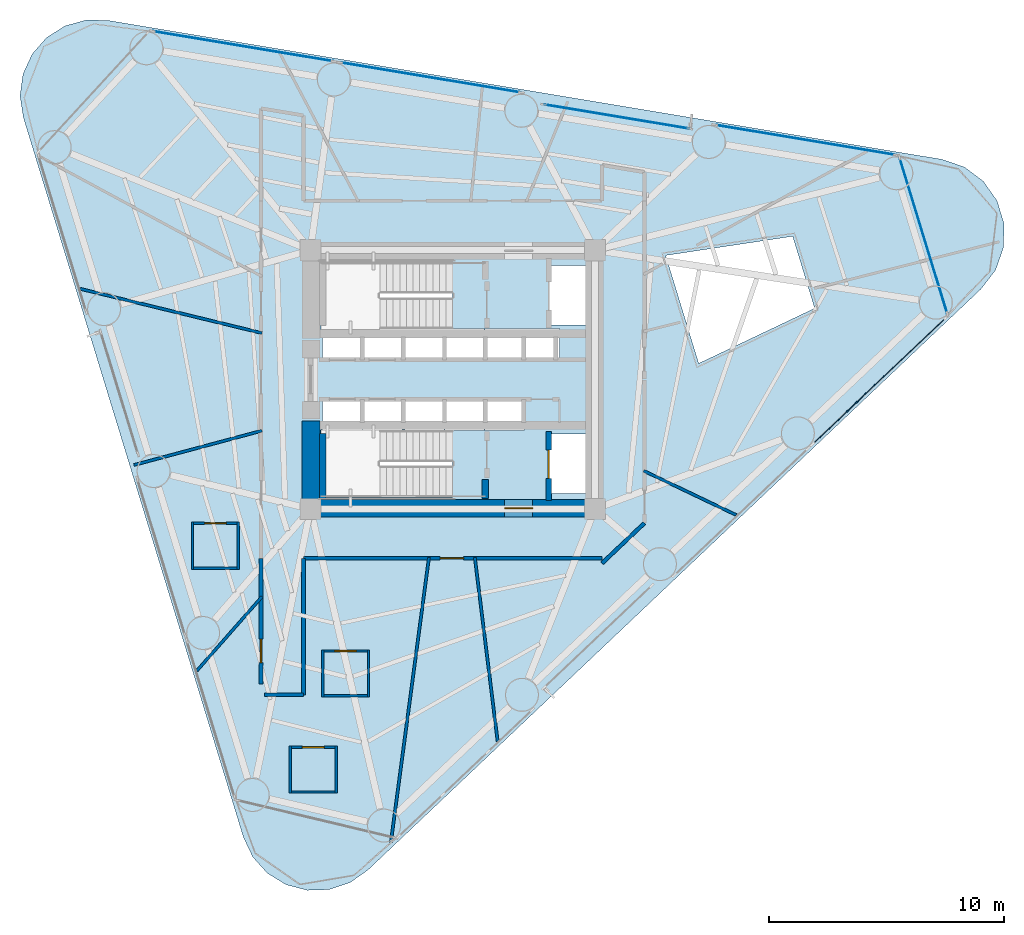
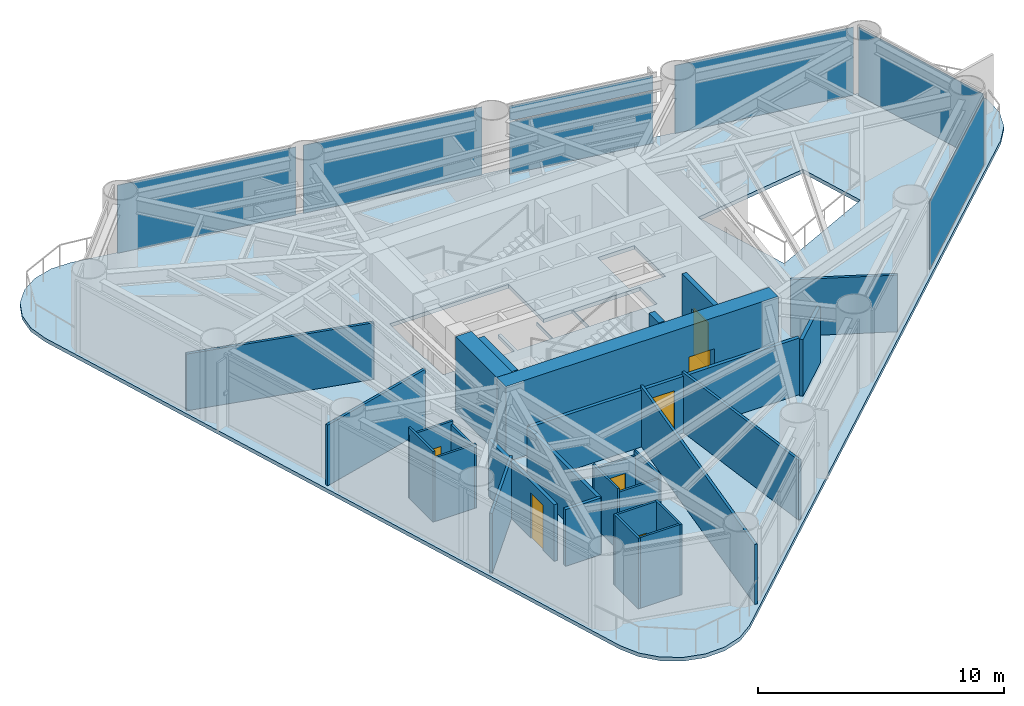
# One storey, part 5 of 10: 28 walls, 7 doors, 7 plates, 1 slab, 7 openings, 6 elements without a shape of their own.
"""IFC4 building model written with IfcOpenShell, lengths in metres."""

from ifc_helpers import new_model, si_unit, direction, frame, frame_2d, origin, origin_2d, place, context, subcontext, project, spatial, polyline, rectangle, outline, extrude, source, transform, mapped, material, layer, layer_set, type_object, element, fill, aggregate, save


model = new_model("IFC4")

# Units and contexts
model_context = context("Model", 3, precision=1e-05, world=origin(), true_north=direction((0.0, 1.0)))
body_context = subcontext(model_context, "Body", "Model", "MODEL_VIEW")
ifc_project = project(units=[si_unit("LENGTHUNIT", "METRE"), si_unit("AREAUNIT", "SQUARE_METRE"), si_unit("VOLUMEUNIT", "CUBIC_METRE"), si_unit("PLANEANGLEUNIT", "RADIAN"), si_unit("MASSUNIT", "GRAM", prefix="KILO")], contexts=[model_context])

# Site, building, storey
site_placement = place(None, origin())
site = spatial("IfcSite", under=ifc_project, at=site_placement, CompositionType="ELEMENT")
building_placement = place(site_placement, origin())
building = spatial("IfcBuilding", under=site, at=building_placement, Name="Yunling Apex Tower", CompositionType="ELEMENT")
storey_placement = place(building_placement, frame((0.0, 0.0, 116.14990234375)))
storey = spatial("IfcBuildingStorey", under=building, at=storey_placement, Name="L29", CompositionType="ELEMENT", Elevation=116.14990234375)

# Slab
ifc_material_1 = material(Name="Concrete C40", Category="concrete")
ifc_layer_1 = layer(ifc_material_1, 0.179931640625)
ifc_layer_set_1 = layer_set([ifc_layer_1], Name="Concrete C40")
slab_type = type_object("IfcSlabType", Name="SL-FLR-1", PredefinedType="FLOOR", material=ifc_layer_set_1)
slab_placement = place(storey_placement, frame((0.0, 0.0, -0.184814453125)))
element("IfcSlab", 1, at=slab_placement, inside=storey, type_object=slab_type, Name="L29 Composite Tower Floor Slab", PredefinedType="FLOOR", context=body_context, shape_type="SweptSolid", body=[
    extrude(outline(polyline([(-8.89990234375, -19.45263671875), (-8.50146484375, -20.294921875), (-7.87841796875, -20.98779296875), (-7.083251953125, -21.473388671875), (-6.182373046875, -21.710693359375), (-5.251220703125, -21.680419921875), (-4.367431640625, -21.384765625), (-3.605712890625, -20.848388671875), (22.4599609375, 3.852294921875), (23.077880859375, 4.65869140625), (23.413818359375, 5.61767578125), (23.434326171875, 6.63330078125), (23.13720703125, 7.60498046875), (22.55224609375, 8.435791015625), (21.737548828125, 9.042724609375), (20.774169921875, 9.36572265625), (-14.6474609375, 15.267822265625), (-15.5791015625, 15.28662109375), (-16.476806640625, 15.03759765625), (-17.265869140625, 14.5419921875), (-17.8798828125, 13.84130859375), (-18.267578125, 12.993896484375), (-18.396728515625, 12.0712890625), (-18.256103515625, 11.150390625), (-8.89990234375, -19.45263671875)]), holes=[polyline([(14.45068359375, 6.091064453125), (15.385986328125, 3.031005859375), (10.4560546875, 0.68701171875), (9.052490234375, 5.27734375), (14.45068359375, 6.091064453125)]), polyline([(5.81005859375, -2.320068359375), (5.81005859375, -4.840087890625), (4.090087890625, -4.840087890625), (4.090087890625, -2.320068359375), (5.81005859375, -2.320068359375)]), polyline([(5.81005859375, 4.840087890625), (5.81005859375, 2.320068359375), (4.090087890625, 2.320068359375), (4.090087890625, 4.840087890625), (5.81005859375, 4.840087890625)]), polyline([(4.534912109375, 0.794921875), (1.364990234375, 0.794921875), (1.364990234375, 2.1650390625), (4.534912109375, 2.1650390625), (4.534912109375, 0.794921875)]), polyline([(3.034912109375, -0.794921875), (3.034912109375, -2.1650390625), (1.364990234375, -2.1650390625), (1.364990234375, -0.794921875), (3.034912109375, -0.794921875)]), polyline([(-3.864990234375, -0.794921875), (-3.864990234375, -2.139892578125), (-3.8349609375, -2.139892578125), (-3.8349609375, -0.794921875), (-2.1650390625, -0.794921875), (-2.1650390625, -2.139892578125), (-2.034912109375, -2.139892578125), (-2.034912109375, -0.794921875), (-0.364990234375, -0.794921875), (-0.364990234375, -2.139892578125), (-0.3349609375, -2.139892578125), (-0.3349609375, -0.794921875), (1.3349609375, -0.794921875), (1.3349609375, -2.1650390625), (-0.010009765625, -2.1650390625), (-0.010009765625, -5.010009765625), (-5.60009765625, -5.010009765625), (-5.60009765625, -2.139892578125), (-5.534912109375, -2.139892578125), (-5.534912109375, -0.794921875), (-3.864990234375, -0.794921875)]), polyline([(-5.60009765625, 2.139892578125), (-5.60009765625, 5.010009765625), (-0.010009765625, 5.010009765625), (-0.010009765625, 2.1650390625), (1.3349609375, 2.1650390625), (1.3349609375, 0.794921875), (-0.3349609375, 0.794921875), (-0.3349609375, 2.139892578125), (-0.364990234375, 2.139892578125), (-0.364990234375, 0.794921875), (-2.034912109375, 0.794921875), (-2.034912109375, 2.139892578125), (-2.1650390625, 2.139892578125), (-2.1650390625, 0.794921875), (-3.8349609375, 0.794921875), (-3.8349609375, 2.139892578125), (-3.864990234375, 2.139892578125), (-3.864990234375, 0.794921875), (-5.534912109375, 0.794921875), (-5.534912109375, 2.139892578125), (-5.60009765625, 2.139892578125)])]), origin(), (0.0, 0.0, 1.0), 0.184814453125),
])

# Curtain wall, plates
ifc_material_2 = material(Name="Bronze anodised aluminium", Category="aluminium")
ifc_layer_2 = layer(ifc_material_2, 0.260009765625)
ifc_layer_set_2 = layer_set([ifc_layer_2], Name="Bronze anodised aluminium")
curtain_wall_type = type_object("IfcCurtainWallType", Name="CW-SYS-2", PredefinedType="NOTDEFINED", material=ifc_layer_set_2)
curtain_wall_1_placement = place(storey_placement, origin())
curtain_wall_1 = element("IfcCurtainWall", 2, at=curtain_wall_1_placement, inside=storey, type_object=curtain_wall_type, Name="CW-L29-F2-B2", PredefinedType="NOTDEFINED")
ifc_material_3 = material(Name="Bronze tinted low-E glass", Category="glass")
ifc_layer_3 = layer(ifc_material_3, 0.033935546875)
ifc_layer_set_3 = layer_set([ifc_layer_3], Name="Bronze tinted low-E glass")
plate_type = type_object("IfcPlateType", Name="CW-PNL-2", PredefinedType="CURTAIN_PANEL", material=ifc_layer_set_3)
shared_shape_1 = source(origin(), body_context, "Body", "SweptSolid", [
    extrude(rectangle(XDim=6.236328125, YDim=0.033935546875, at=origin_2d()), origin(), (0.0, 0.0, 1.0), 2.57177734375),
])
plate_1_placement = place(storey_placement, frame((6.96923828125, 11.17919921875, 0.076904296875), z_axis=(0.0, 0.0, 1.0), x_axis=(-0.986401113409, 0.164355844023, 0.0)))
plate_1 = element("IfcPlate", 3, at=plate_1_placement, type_object=plate_type, Name="CW-SYS-2 panel 1.1", PredefinedType="CURTAIN_PANEL", context=body_context, shape_type="MappedRepresentation", body=[
    mapped(shared_shape_1, transform((0.0, 0.0, 0.0), scale=1.0)),
])
shared_shape_2 = source(origin(), body_context, "Body", "SweptSolid", [
    extrude(rectangle(XDim=6.236328125, YDim=0.033935546875, at=origin_2d()), origin(), (0.0, 0.0, 1.0), 0.736083984375),
])
plate_2_placement = place(storey_placement, frame((6.96923828125, 11.17919921875, 2.71728515625), z_axis=(0.0, 0.0, 1.0), x_axis=(-0.986401113409, 0.164355844023, 0.0)))
plate_2 = element("IfcPlate", 4, at=plate_2_placement, type_object=plate_type, Name="CW-SYS-2 panel 1.2", PredefinedType="CURTAIN_PANEL", context=body_context, shape_type="MappedRepresentation", body=[
    mapped(shared_shape_2, transform((0.0, 0.0, 0.0), scale=1.0)),
])
aggregate(curtain_wall_1, [plate_1, plate_2])

# Curtain wall, plate
curtain_wall_2_placement = place(storey_placement, origin())
curtain_wall_2 = element("IfcCurtainWall", 5, at=curtain_wall_2_placement, inside=storey, type_object=curtain_wall_type, Name="CW-L29-F1-B4", PredefinedType="NOTDEFINED")
shared_shape_3 = source(origin(), body_context, "Body", "SweptSolid", [
    extrude(rectangle(XDim=7.766357421875, YDim=0.033935546875, at=origin_2d()), origin(), (0.0, 0.0, 1.0), 3.37646484375),
])
plate_3_placement = place(storey_placement, frame((18.1279296875, -0.06005859375, 0.076904296875), z_axis=(0.0, 0.0, 1.0), x_axis=(0.72584218686, 0.687861264918, 0.0)))
plate_3 = element("IfcPlate", 6, at=plate_3_placement, type_object=plate_type, Name="CW-SYS-2 panel 1.1", PredefinedType="CURTAIN_PANEL", context=body_context, shape_type="MappedRepresentation", body=[
    mapped(shared_shape_3, transform((0.0, 0.0, 0.0), scale=1.0)),
])
aggregate(curtain_wall_2, [plate_3])

curtain_wall_3_placement = place(storey_placement, origin())
curtain_wall_3 = element("IfcCurtainWall", 7, at=curtain_wall_3_placement, inside=storey, type_object=curtain_wall_type, Name="CW-L29-F2-B1", PredefinedType="NOTDEFINED")
plate_4_placement = place(storey_placement, frame((14.9951171875, 10.186767578125, 0.076904296875), z_axis=(0.0, 0.0, 1.0), x_axis=(-0.98640040698, 0.16436008369, 0.0)))
plate_4 = element("IfcPlate", 8, at=plate_4_placement, type_object=plate_type, Name="CW-SYS-2 panel 1.1", PredefinedType="CURTAIN_PANEL", context=body_context, shape_type="MappedRepresentation", body=[
    mapped(shared_shape_3, transform((0.0, 0.0, 0.0), scale=1.0)),
])
aggregate(curtain_wall_3, [plate_4])

curtain_wall_4_placement = place(storey_placement, origin())
curtain_wall_4 = element("IfcCurtainWall", 9, at=curtain_wall_4_placement, inside=storey, type_object=curtain_wall_type, Name="CW-L29-F2-B4", PredefinedType="NOTDEFINED")
plate_5_placement = place(storey_placement, frame((-8.91455078125, 14.170654296875, 0.076904296875), z_axis=(0.0, 0.0, 1.0), x_axis=(-0.98640040698, 0.16436008369, 0.0)))
plate_5 = element("IfcPlate", 10, at=plate_5_placement, type_object=plate_type, Name="CW-SYS-2 panel 1.1", PredefinedType="CURTAIN_PANEL", context=body_context, shape_type="MappedRepresentation", body=[
    mapped(shared_shape_3, transform((0.0, 0.0, 0.0), scale=1.0)),
])
aggregate(curtain_wall_4, [plate_5])

curtain_wall_5_placement = place(storey_placement, origin())
curtain_wall_5 = element("IfcCurtainWall", 11, at=curtain_wall_5_placement, inside=storey, type_object=curtain_wall_type, Name="CW-L29-CRN1", PredefinedType="NOTDEFINED")
shared_shape_4 = source(origin(), body_context, "Body", "SweptSolid", [
    extrude(rectangle(XDim=6.925537109375, YDim=0.033935546875, at=origin_2d()), origin(), (0.0, 0.0, 1.0), 3.37646484375),
])
plate_6_placement = place(storey_placement, frame((20.01171875, 6.1181640625, 0.076904296875), z_axis=(0.0, 0.0, 1.0), x_axis=(-0.292375009223, 0.95630374567, 0.0)))
plate_6 = element("IfcPlate", 12, at=plate_6_placement, type_object=plate_type, Name="CW-SYS-2 panel 1.1", PredefinedType="CURTAIN_PANEL", context=body_context, shape_type="MappedRepresentation", body=[
    mapped(shared_shape_4, transform((0.0, 0.0, 0.0), scale=1.0)),
])
aggregate(curtain_wall_5, [plate_6])

curtain_wall_6_placement = place(storey_placement, origin())
curtain_wall_6 = element("IfcCurtainWall", 13, at=curtain_wall_6_placement, inside=storey, type_object=curtain_wall_type, Name="CW-L29-F2-B3", PredefinedType="NOTDEFINED")
shared_shape_5 = source(origin(), body_context, "Body", "SweptSolid", [
    extrude(rectangle(XDim=7.76611328125, YDim=0.033935546875, at=origin_2d()), origin(), (0.0, 0.0, 1.0), 3.37646484375),
])
plate_7_placement = place(storey_placement, frame((-0.944580078125, 12.8427734375, 0.076904296875), z_axis=(0.0, 0.0, 1.0), x_axis=(-0.986400065878, 0.164362130784, 0.0)))
plate_7 = element("IfcPlate", 14, at=plate_7_placement, type_object=plate_type, Name="CW-SYS-2 panel 1.1", PredefinedType="CURTAIN_PANEL", context=body_context, shape_type="MappedRepresentation", body=[
    mapped(shared_shape_5, transform((0.0, 0.0, 0.0), scale=1.0)),
])
aggregate(curtain_wall_6, [plate_7])

# Wall, opening, door
ifc_material_4 = material(Name="Concrete C60", Category="concrete")
ifc_layer_4 = layer(ifc_material_4, 0.75)
ifc_layer_set_4 = layer_set([ifc_layer_4], Name="Concrete C60")
wall_type_1 = type_object("IfcWallType", Name="WL-COR-1", PredefinedType="SHEAR", material=ifc_layer_set_4)
wall_1_placement = place(storey_placement, frame((-6.39990234375, -5.47509765625, 0.0), z_axis=(0.0, 0.0, 1.0), x_axis=(1.0, 0.0, 0.0)))
wall_1 = element("IfcWall", 15, at=wall_1_placement, inside=storey, type_object=wall_type_1, Name="L29 South Core Shear Wall", PredefinedType="SHEAR", context=body_context, shape_type="SweptSolid", body=[
    extrude(rectangle(XDim=12.7998046875, YDim=0.75, at=frame_2d((6.39990234375, 0.0))), origin(), (0.0, 0.0, 1.0), 3.75),
])
opening_1_placement = place(wall_1_placement, frame((8.60009765625, 0.0, 0.0)))
opening_1 = element("IfcOpeningElement", 16, at=opening_1_placement, cuts=wall_1, Name="Opening DR-FFL-1", PredefinedType="OPENING", context=body_context, shape_type="SweptSolid", body=[
    extrude(rectangle(XDim=1.199951171875, YDim=2.199951171875, at=frame_2d((0.60009765625, 1.10009765625))), frame((0.0, 0.385009765625, 0.0), z_axis=(0.0, -1.0, 0.0), x_axis=(1.0, 0.0, 0.0)), (0.0, 0.0, 1.0), 0.77001953125),
])
ifc_material_5 = material(Name="Steel Q355B", Category="steel")
door_type_1 = type_object("IfcDoorType", Name="DR-FFL-1", OperationType="NOTDEFINED", PredefinedType="DOOR", material=ifc_material_5)
door_1_placement = place(opening_1_placement, origin())
door_1 = element("IfcDoor", 17, at=door_1_placement, inside=storey, type_object=door_type_1, Name="L29 South Firefighting Lobby Door", OperationType="SINGLE_SWING_RIGHT", OverallHeight=2.199951171875, OverallWidth=1.199951171875, PredefinedType="DOOR", context=body_context, shape_type="SweptSolid", body=[
    extrude(rectangle(XDim=1.199951171875, YDim=2.199951171875, at=frame_2d((0.60009765625, 1.10009765625))), frame((0.0, 0.02490234375, 0.0), z_axis=(0.0, -1.0, 0.0), x_axis=(1.0, 0.0, 0.0)), (0.0, 0.0, 1.0), 0.050048828125),
])
fill(opening_1, door_1)

# Walls
wall_2_placement = place(storey_placement, frame((-6.02490234375, -5.10009765625, 0.0), z_axis=(0.0, 0.0, 1.0), x_axis=(0.0, 1.0, 0.0)))
element("IfcWall", 18, at=wall_2_placement, inside=storey, type_object=wall_type_1, Name="L29 West-South Core Shear Wall", PredefinedType="SHEAR", context=body_context, shape_type="SweptSolid", body=[
    extrude(rectangle(XDim=3.35009765625, YDim=0.75, at=frame_2d((1.675048828125, 0.0))), origin(), (0.0, 0.0, 1.0), 3.75),
])
ifc_layer_5 = layer(ifc_material_1, 0.280029296875)
ifc_layer_set_5 = layer_set([ifc_layer_5], Name="Concrete C40")
wall_type_2 = type_object("IfcWallType", Name="WL-COR-8", PredefinedType="SHEAR", material=ifc_layer_set_5)
wall_3_placement = place(storey_placement, frame((-5.52001953125, -5.050048828125, 0.0), z_axis=(0.0, 0.0, 1.0), x_axis=(0.0, 1.0, 0.0)))
element("IfcWall", 19, at=wall_3_placement, inside=storey, type_object=wall_type_2, Name="L29 ST-2 West Landing Bearing Wall", PredefinedType="SHEAR", context=body_context, shape_type="SweptSolid", body=[
    extrude(rectangle(XDim=2.75, YDim=0.280029296875, at=frame_2d((1.375, 0.0))), origin(), (0.0, 0.0, 1.0), 3.75),
])
wall_4_placement = place(storey_placement, frame((1.3798828125, -5.050048828125, 0.0), z_axis=(0.0, 0.0, 1.0), x_axis=(0.0, 1.0, 0.0)))
element("IfcWall", 20, at=wall_4_placement, inside=storey, type_object=wall_type_2, Name="L29 ST-2 East Landing Bearing Pier", PredefinedType="SHEAR", context=body_context, shape_type="SweptSolid", body=[
    extrude(rectangle(XDim=0.800048828125, YDim=0.280029296875, at=frame_2d((0.39990234375, 0.0))), origin(), (0.0, 0.0, 1.0), 3.75),
])

# Wall, opening, door
ifc_material_6 = material(Name="Gypsum board acoustic partition")
ifc_layer_6 = layer(ifc_material_6, 0.159912109375)
ifc_layer_set_6 = layer_set([ifc_layer_6], Name="Gypsum board acoustic partition")
wall_type_3 = type_object("IfcWallType", Name="WL-PRT-1", PredefinedType="PARTITIONING", material=ifc_layer_set_6)
wall_5_placement = place(storey_placement, frame((-8.14990234375, -12.94384765625, 0.0), z_axis=(0.0, 0.0, 1.0), x_axis=(0.0, 1.0, 0.0)))
wall_5 = element("IfcWall", 21, at=wall_5_placement, inside=storey, type_object=wall_type_3, Name="WL-CORR-L29-02", PredefinedType="PARTITIONING", context=body_context, shape_type="SweptSolid", body=[
    extrude(rectangle(XDim=5.34375, YDim=0.159912109375, at=frame_2d((2.671875, 0.0))), origin(), (0.0, 0.0, 1.0), 2.815185546875),
])
opening_2_placement = place(wall_5_placement, frame((0.91552734375, 0.0, 0.0)))
opening_2 = element("IfcOpeningElement", 22, at=opening_2_placement, cuts=wall_5, Name="Opening DR-OFF-1", PredefinedType="OPENING", context=body_context, shape_type="SweptSolid", body=[
    extrude(rectangle(XDim=1.0, YDim=2.25, at=frame_2d((0.5, 1.125))), frame((0.0, 0.08984375, 0.0), z_axis=(0.0, -1.0, 0.0), x_axis=(1.0, 0.0, 0.0)), (0.0, 0.0, 1.0), 0.179931640625),
])
door_type_2 = type_object("IfcDoorType", Name="DR-OFF-1", OperationType="NOTDEFINED", PredefinedType="DOOR", material=ifc_material_2)
door_2_placement = place(opening_2_placement, origin())
door_2 = element("IfcDoor", 23, at=door_2_placement, inside=storey, type_object=door_type_2, Name="L29 Service Foyer Lounge Door", OperationType="SINGLE_SWING_LEFT", OverallHeight=2.25, OverallWidth=1.0, PredefinedType="DOOR", context=body_context, shape_type="SweptSolid", body=[
    extrude(rectangle(XDim=1.0, YDim=2.25, at=frame_2d((0.5, 1.125))), frame((0.0, 0.02490234375, 0.0), z_axis=(0.0, -1.0, 0.0), x_axis=(1.0, 0.0, 0.0)), (0.0, 0.0, 1.0), 0.050048828125),
])
fill(opening_2, door_2)

# Wall
wall_6_placement = place(storey_placement, frame((8.14990234375, -6.098876953125, 0.0), z_axis=(0.0, 0.0, 1.0), x_axis=(-0.725854359245, -0.687848420196, 0.0)))
element("IfcWall", 24, at=wall_6_placement, inside=storey, type_object=wall_type_3, Name="WL-CORR-L29-13", PredefinedType="PARTITIONING", context=body_context, shape_type="SweptSolid", body=[
    extrude(rectangle(XDim=2.4794921875, YDim=0.159912109375, at=frame_2d((1.23974609375, 0.0))), origin(), (0.0, 0.0, 1.0), 2.815185546875),
])

# Wall, opening, door
wall_7_placement = place(storey_placement, frame((6.35009765625, -7.60009765625, 0.0), z_axis=(0.0, 0.0, 1.0), x_axis=(-1.0, 0.0, 0.0)))
wall_7 = element("IfcWall", 25, at=wall_7_placement, inside=storey, type_object=wall_type_3, Name="WL-CORR-L29-14", PredefinedType="PARTITIONING", context=body_context, shape_type="SweptSolid", body=[
    extrude(rectangle(XDim=12.7001953125, YDim=0.159912109375, at=frame_2d((6.35009765625, 0.0))), origin(), (0.0, 0.0, 1.0), 2.815185546875),
])
opening_3_placement = place(wall_7_placement, frame((5.88671875, 0.0, 0.0)))
opening_3 = element("IfcOpeningElement", 26, at=opening_3_placement, cuts=wall_7, Name="Opening DR-OFF-1", PredefinedType="OPENING", context=body_context, shape_type="SweptSolid", body=[
    extrude(rectangle(XDim=1.0, YDim=2.25, at=frame_2d((0.5, 1.125))), frame((0.0, 0.08984375, 0.0), z_axis=(0.0, -1.0, 0.0), x_axis=(1.0, 0.0, 0.0)), (0.0, 0.0, 1.0), 0.179931640625),
])
door_3_placement = place(opening_3_placement, origin())
door_3 = element("IfcDoor", 27, at=door_3_placement, inside=storey, type_object=door_type_2, Name="L29 Document Archive Store Door", OperationType="SINGLE_SWING_LEFT", OverallHeight=2.25, OverallWidth=1.0, PredefinedType="DOOR", context=body_context, shape_type="SweptSolid", body=[
    extrude(rectangle(XDim=1.0, YDim=2.25, at=frame_2d((0.5, 1.125))), frame((0.0, 0.02490234375, 0.0), z_axis=(0.0, -1.0, 0.0), x_axis=(1.0, 0.0, 0.0)), (0.0, 0.0, 1.0), 0.050048828125),
])
fill(opening_3, door_3)

# Walls
wall_8_placement = place(storey_placement, frame((-6.35009765625, -7.60009765625, 0.0), z_axis=(0.0, 0.0, 1.0), x_axis=(0.0, -1.0, 0.0)))
element("IfcWall", 28, at=wall_8_placement, inside=storey, type_object=wall_type_3, Name="WL-CORR-L29-15", PredefinedType="PARTITIONING", context=body_context, shape_type="SweptSolid", body=[
    extrude(rectangle(XDim=5.7998046875, YDim=0.159912109375, at=frame_2d((2.89990234375, 0.0))), origin(), (0.0, 0.0, 1.0), 2.815185546875),
])
wall_9_placement = place(storey_placement, frame((-6.35009765625, -13.39990234375, 0.0), z_axis=(0.0, 0.0, 1.0), x_axis=(-1.0, 0.0, 0.0)))
element("IfcWall", 29, at=wall_9_placement, inside=storey, type_object=wall_type_3, Name="WL-CORR-L29-16", PredefinedType="PARTITIONING", context=body_context, shape_type="SweptSolid", body=[
    extrude(rectangle(XDim=1.660400390625, YDim=0.159912109375, at=frame_2d((0.830078125, 0.0))), origin(), (0.0, 0.0, 1.0), 2.815185546875),
])
ifc_layer_7 = layer(ifc_material_6, 0.1201171875)
ifc_layer_set_7 = layer_set([ifc_layer_7], Name="Gypsum board acoustic partition")
wall_type_4 = type_object("IfcWallType", Name="WL-PRT-3", PredefinedType="PARTITIONING", material=ifc_layer_set_7)
wall_10_placement = place(storey_placement, frame((-8.110107421875, -2.173095703125, 0.0), z_axis=(0.0, 0.0, 1.0), x_axis=(-0.965926955368, -0.258814831287, 0.0)))
element("IfcWall", 30, at=wall_10_placement, inside=storey, type_object=wall_type_4, Name="WL-RAD-L29-01", PredefinedType="PARTITIONING", context=body_context, shape_type="SweptSolid", body=[
    extrude(rectangle(XDim=5.630615234375, YDim=0.1201171875, at=frame_2d((2.8154296875, 0.0))), origin(), (0.0, 0.0, 1.0), 3.01513671875),
])
wall_11_placement = place(storey_placement, frame((-8.110107421875, -9.22900390625, 0.0), z_axis=(0.0, 0.0, 1.0), x_axis=(-0.66009168755, -0.751185039805, 0.0)))
element("IfcWall", 31, at=wall_11_placement, inside=storey, type_object=wall_type_4, Name="WL-RAD-L29-02", PredefinedType="PARTITIONING", context=body_context, shape_type="SweptSolid", body=[
    extrude(rectangle(XDim=4.18896484375, YDim=0.1201171875, at=frame_2d((2.094482421875, 0.0))), origin(), (0.0, 0.0, 1.0), 2.97509765625),
])
wall_12_placement = place(storey_placement, frame((-1.0107421875, -7.56005859375, 0.0), z_axis=(0.0, 0.0, 1.0), x_axis=(-0.132529998166, -0.991178994726, 0.0)))
element("IfcWall", 32, at=wall_12_placement, inside=storey, type_object=wall_type_4, Name="WL-RAD-L29-03", PredefinedType="PARTITIONING", context=body_context, shape_type="SweptSolid", body=[
    extrude(rectangle(XDim=12.224609375, YDim=0.1201171875, at=frame_2d((6.1123046875, 0.0))), origin(), (0.0, 0.0, 1.0), 2.97509765625),
])
wall_13_placement = place(storey_placement, frame((0.938720703125, -7.56005859375, 0.0), z_axis=(0.0, 0.0, 1.0), x_axis=(0.12317613507, -0.992384824425, 0.0)))
element("IfcWall", 33, at=wall_13_placement, inside=storey, type_object=wall_type_4, Name="WL-RAD-L29-04", PredefinedType="PARTITIONING", context=body_context, shape_type="SweptSolid", body=[
    extrude(rectangle(XDim=7.874755859375, YDim=0.1201171875, at=frame_2d((3.9375, 0.0))), origin(), (0.0, 0.0, 1.0), 2.97509765625),
])
wall_14_placement = place(storey_placement, frame((8.110107421875, -3.875, 0.0), z_axis=(0.0, 0.0, 1.0), x_axis=(0.902280645173, -0.431149205433, 0.0)))
element("IfcWall", 34, at=wall_14_placement, inside=storey, type_object=wall_type_4, Name="WL-RAD-L29-05", PredefinedType="PARTITIONING", context=body_context, shape_type="SweptSolid", body=[
    extrude(rectangle(XDim=4.3720703125, YDim=0.1201171875, at=frame_2d((2.18603515625, 0.0))), origin(), (0.0, 0.0, 1.0), 2.815185546875),
])
wall_15_placement = place(storey_placement, frame((-8.110107421875, 1.975830078125, 0.0), z_axis=(0.0, 0.0, 1.0), x_axis=(-0.971576662732, 0.236725132665, 0.0)))
element("IfcWall", 35, at=wall_15_placement, inside=storey, type_object=wall_type_4, Name="WL-RAD-L29-14", PredefinedType="PARTITIONING", context=body_context, shape_type="SweptSolid", body=[
    extrude(rectangle(XDim=7.95458984375, YDim=0.1201171875, at=frame_2d((3.977294921875, 0.0))), origin(), (0.0, 0.0, 1.0), 2.815185546875),
])

# Wall, opening, door
ifc_layer_8 = layer(ifc_material_6, 0.10009765625)
ifc_layer_set_8 = layer_set([ifc_layer_8], Name="Gypsum board acoustic partition")
wall_type_5 = type_object("IfcWallType", Name="WL-PRT-4", PredefinedType="PARTITIONING", material=ifc_layer_set_8)
wall_16_placement = place(storey_placement, frame((-6.9541015625, -15.6298828125, 0.0), z_axis=(0.0, 0.0, 1.0), x_axis=(1.0, 0.0, 0.0)))
wall_16 = element("IfcWall", 36, at=wall_16_placement, inside=storey, type_object=wall_type_5, Name="WL-L29-WCMN", PredefinedType="PARTITIONING", context=body_context, shape_type="SweptSolid", body=[
    extrude(rectangle(XDim=2.050048828125, YDim=0.10009765625, at=frame_2d((1.02490234375, 0.0))), origin(), (0.0, 0.0, 1.0), 3.510009765625),
])
opening_4_placement = place(wall_16_placement, frame((0.56494140625, 0.0, 0.0)))
opening_4 = element("IfcOpeningElement", 37, at=opening_4_placement, cuts=wall_16, Name="Opening DR-WC-1", PredefinedType="OPENING", context=body_context, shape_type="SweptSolid", body=[
    extrude(rectangle(XDim=0.919921875, YDim=2.10009765625, at=frame_2d((0.4599609375, 1.050048828125))), frame((0.0, 0.06005859375, 0.0), z_axis=(0.0, -1.0, 0.0), x_axis=(1.0, 0.0, 0.0)), (0.0, 0.0, 1.0), 0.1201171875),
])
ifc_material_7 = material(Name="Timber moisture-resistant leaf", Category="wood")
door_type_3 = type_object("IfcDoorType", Name="DR-WC-1", OperationType="NOTDEFINED", PredefinedType="DOOR", material=ifc_material_7)
door_4_placement = place(opening_4_placement, origin())
door_4 = element("IfcDoor", 38, at=door_4_placement, inside=storey, type_object=door_type_3, Name="L29 Male Toilet Door", OperationType="SINGLE_SWING_RIGHT", OverallHeight=2.10009765625, OverallWidth=0.919921875, PredefinedType="DOOR", context=body_context, shape_type="SweptSolid", body=[
    extrude(rectangle(XDim=0.919921875, YDim=2.10009765625, at=frame_2d((0.4599609375, 1.050048828125))), frame((0.0, 0.02490234375, 0.0), z_axis=(0.0, -1.0, 0.0), x_axis=(1.0, 0.0, 0.0)), (0.0, 0.0, 1.0), 0.050048828125),
])
fill(opening_4, door_4)

# Walls
wall_17_placement = place(storey_placement, frame((-4.904052734375, -17.530029296875, 0.0), z_axis=(0.0, 0.0, 1.0), x_axis=(-1.0, 0.0, 0.0)))
element("IfcWall", 39, at=wall_17_placement, inside=storey, type_object=wall_type_5, Name="WL-L29-WCMS", PredefinedType="PARTITIONING", context=body_context, shape_type="SweptSolid", body=[
    extrude(rectangle(XDim=2.050048828125, YDim=0.10009765625, at=frame_2d((1.02490234375, 0.0))), origin(), (0.0, 0.0, 1.0), 3.510009765625),
])
for number, where, z_axis, x_axis, name in (
    (40, (-4.9541015625, -15.580078125, 0.0), (0.0, 0.0, 1.0), (0.0, -1.0, 0.0), "WL-L29-WCME"),
    (41, (-6.904052734375, -17.580078125, 0.0), (0.0, 0.0, 1.0), (0.0, 1.0, 0.0), "WL-L29-WCMW"),
):
    element("IfcWall", number, at=place(storey_placement, frame(where, z_axis=z_axis, x_axis=x_axis)), inside=storey, type_object=wall_type_5, Name=name, PredefinedType="PARTITIONING", context=body_context, shape_type="SweptSolid", body=[
        extrude(rectangle(XDim=2.0, YDim=0.10009765625, at=frame_2d((1.0, 0.0))), origin(), (0.0, 0.0, 1.0), 3.510009765625),
    ])

# Wall, opening, door
wall_18_placement = place(storey_placement, frame((-5.5791015625, -11.5380859375, 0.0), z_axis=(0.0, 0.0, 1.0), x_axis=(1.0, 0.0, 0.0)))
wall_18 = element("IfcWall", 42, at=wall_18_placement, inside=storey, type_object=wall_type_5, Name="WL-L29-WCFN", PredefinedType="PARTITIONING", context=body_context, shape_type="SweptSolid", body=[
    extrude(rectangle(XDim=2.050048828125, YDim=0.10009765625, at=frame_2d((1.02490234375, 0.0))), origin(), (0.0, 0.0, 1.0), 2.815185546875),
])
opening_5_placement = place(wall_18_placement, frame((0.56494140625, 0.0, 0.0)))
opening_5 = element("IfcOpeningElement", 43, at=opening_5_placement, cuts=wall_18, Name="Opening DR-WC-1", PredefinedType="OPENING", context=body_context, shape_type="SweptSolid", body=[
    extrude(rectangle(XDim=0.919921875, YDim=2.10009765625, at=frame_2d((0.4599609375, 1.050048828125))), frame((0.0, 0.06005859375, 0.0), z_axis=(0.0, -1.0, 0.0), x_axis=(1.0, 0.0, 0.0)), (0.0, 0.0, 1.0), 0.1201171875),
])
door_5_placement = place(opening_5_placement, origin())
door_5 = element("IfcDoor", 44, at=door_5_placement, inside=storey, type_object=door_type_3, Name="L29 Female Toilet Door", OperationType="SINGLE_SWING_LEFT", OverallHeight=2.10009765625, OverallWidth=0.919921875, PredefinedType="DOOR", context=body_context, shape_type="SweptSolid", body=[
    extrude(rectangle(XDim=0.919921875, YDim=2.10009765625, at=frame_2d((0.4599609375, 1.050048828125))), frame((0.0, 0.02490234375, 0.0), z_axis=(0.0, -1.0, 0.0), x_axis=(1.0, 0.0, 0.0)), (0.0, 0.0, 1.0), 0.050048828125),
])
fill(opening_5, door_5)

# Walls
wall_19_placement = place(storey_placement, frame((-3.529052734375, -13.43798828125, 0.0), z_axis=(0.0, 0.0, 1.0), x_axis=(-1.0, 0.0, 0.0)))
element("IfcWall", 45, at=wall_19_placement, inside=storey, type_object=wall_type_5, Name="WL-L29-WCFS", PredefinedType="PARTITIONING", context=body_context, shape_type="SweptSolid", body=[
    extrude(rectangle(XDim=2.050048828125, YDim=0.10009765625, at=frame_2d((1.02490234375, 0.0))), origin(), (0.0, 0.0, 1.0), 2.815185546875),
])
for number, where, z_axis, x_axis, name in (
    (46, (-3.5791015625, -11.488037109375, 0.0), (0.0, 0.0, 1.0), (0.0, -1.0, 0.0), "WL-L29-WCFE"),
    (47, (-5.529052734375, -13.488037109375, 0.0), (0.0, 0.0, 1.0), (0.0, 1.0, 0.0), "WL-L29-WCFW"),
):
    element("IfcWall", number, at=place(storey_placement, frame(where, z_axis=z_axis, x_axis=x_axis)), inside=storey, type_object=wall_type_5, Name=name, PredefinedType="PARTITIONING", context=body_context, shape_type="SweptSolid", body=[
        extrude(rectangle(XDim=2.0, YDim=0.10009765625, at=frame_2d((1.0, 0.0))), origin(), (0.0, 0.0, 1.0), 3.01513671875),
    ])

# Wall, opening, door
wall_20_placement = place(storey_placement, frame((-11.115966796875, -6.113037109375, 0.0), z_axis=(0.0, 0.0, 1.0), x_axis=(1.0, 0.0, 0.0)))
wall_20 = element("IfcWall", 48, at=wall_20_placement, inside=storey, type_object=wall_type_5, Name="WL-L29-WCFB0N", PredefinedType="PARTITIONING", context=body_context, shape_type="SweptSolid", body=[
    extrude(rectangle(XDim=2.050048828125, YDim=0.10009765625, at=frame_2d((1.02490234375, 0.0))), origin(), (0.0, 0.0, 1.0), 3.1650390625),
])
opening_6_placement = place(wall_20_placement, frame((0.56494140625, 0.0, 0.0)))
opening_6 = element("IfcOpeningElement", 49, at=opening_6_placement, cuts=wall_20, Name="Opening DR-WC-1", PredefinedType="OPENING", context=body_context, shape_type="SweptSolid", body=[
    extrude(rectangle(XDim=0.919921875, YDim=2.10009765625, at=frame_2d((0.4599609375, 1.050048828125))), frame((0.0, 0.06005859375, 0.0), z_axis=(0.0, -1.0, 0.0), x_axis=(1.0, 0.0, 0.0)), (0.0, 0.0, 1.0), 0.1201171875),
])
door_6_placement = place(opening_6_placement, origin())
door_6 = element("IfcDoor", 50, at=door_6_placement, inside=storey, type_object=door_type_3, Name="L29 Accessible WC Door", OperationType="SINGLE_SWING_RIGHT", OverallHeight=2.10009765625, OverallWidth=0.919921875, PredefinedType="DOOR", context=body_context, shape_type="SweptSolid", body=[
    extrude(rectangle(XDim=0.919921875, YDim=2.10009765625, at=frame_2d((0.4599609375, 1.050048828125))), frame((0.0, 0.02490234375, 0.0), z_axis=(0.0, -1.0, 0.0), x_axis=(1.0, 0.0, 0.0)), (0.0, 0.0, 1.0), 0.050048828125),
])
fill(opening_6, door_6)

# Walls
wall_21_placement = place(storey_placement, frame((-9.06591796875, -8.012939453125, 0.0), z_axis=(0.0, 0.0, 1.0), x_axis=(-1.0, 0.0, 0.0)))
element("IfcWall", 51, at=wall_21_placement, inside=storey, type_object=wall_type_5, Name="WL-L29-WCFB0S", PredefinedType="PARTITIONING", context=body_context, shape_type="SweptSolid", body=[
    extrude(rectangle(XDim=2.050048828125, YDim=0.10009765625, at=frame_2d((1.02490234375, 0.0))), origin(), (0.0, 0.0, 1.0), 3.1650390625),
])
wall_22_placement = place(storey_placement, frame((-9.115966796875, -6.06298828125, 0.0), z_axis=(0.0, 0.0, 1.0), x_axis=(0.0, -1.0, 0.0)))
element("IfcWall", 52, at=wall_22_placement, inside=storey, type_object=wall_type_5, Name="WL-L29-WCFB0E", PredefinedType="PARTITIONING", context=body_context, shape_type="SweptSolid", body=[
    extrude(rectangle(XDim=2.0, YDim=0.10009765625, at=frame_2d((1.0, 0.0))), origin(), (0.0, 0.0, 1.0), 3.01513671875),
])
wall_23_placement = place(storey_placement, frame((-11.06591796875, -8.06298828125, 0.0), z_axis=(0.0, 0.0, 1.0), x_axis=(0.0, 1.0, 0.0)))
element("IfcWall", 53, at=wall_23_placement, inside=storey, type_object=wall_type_5, Name="WL-L29-WCFB0W", PredefinedType="PARTITIONING", context=body_context, shape_type="SweptSolid", body=[
    extrude(rectangle(XDim=2.0, YDim=0.10009765625, at=frame_2d((1.0, 0.0))), origin(), (0.0, 0.0, 1.0), 3.510009765625),
])

# Wall, opening, door
ifc_material_8 = material(Name="Autoclaved aerated concrete masonry", Category="masonry")
ifc_layer_9 = layer(ifc_material_8, 0.219970703125)
ifc_layer_set_9 = layer_set([ifc_layer_9], Name="Autoclaved aerated concrete masonry")
wall_type_6 = type_object("IfcWallType", Name="WL-SHF-1", PredefinedType="PLUMBINGWALL", material=ifc_layer_set_9)
wall_24_placement = place(storey_placement, frame((4.080078125, -5.14990234375, 0.0), z_axis=(0.0, 0.0, 1.0), x_axis=(0.0, 1.0, 0.0)))
wall_24 = element("IfcWall", 54, at=wall_24_placement, inside=storey, type_object=wall_type_6, Name="WL-FFL2-W-L29", PredefinedType="PLUMBINGWALL", context=body_context, shape_type="SweptSolid", body=[
    extrude(rectangle(XDim=2.949951171875, YDim=0.219970703125, at=frame_2d((1.47509765625, 0.0))), origin(), (0.0, 0.0, 1.0), 3.510009765625),
])
opening_7_placement = place(wall_24_placement, frame((0.949951171875, 0.0, 0.0)))
opening_7 = element("IfcOpeningElement", 55, at=opening_7_placement, cuts=wall_24, Name="Opening LD-FFL-1", PredefinedType="OPENING", context=body_context, shape_type="SweptSolid", body=[
    extrude(rectangle(XDim=1.199951171875, YDim=2.25, at=frame_2d((0.60009765625, 1.125))), frame((0.0, 0.1201171875, 0.0), z_axis=(0.0, -1.0, 0.0), x_axis=(1.0, 0.0, 0.0)), (0.0, 0.0, 1.0), 0.239990234375),
])
door_type_4 = type_object("IfcDoorType", Name="LD-FFL-1", OperationType="DOUBLE_DOOR_SLIDING", PredefinedType="DOOR", material=ifc_material_5)
door_7_placement = place(opening_7_placement, origin())
door_7 = element("IfcDoor", 56, at=door_7_placement, inside=storey, type_object=door_type_4, Name="L29 Lift FFL-2 Landing Door", OperationType="DOUBLE_DOOR_SLIDING", OverallHeight=2.25, OverallWidth=1.199951171875, PredefinedType="DOOR", context=body_context, shape_type="SweptSolid", body=[
    extrude(rectangle(XDim=1.199951171875, YDim=2.25, at=frame_2d((0.60009765625, 1.125))), frame((0.0, 0.02490234375, 0.0), z_axis=(0.0, -1.0, 0.0), x_axis=(1.0, 0.0, 0.0)), (0.0, 0.0, 1.0), 0.050048828125),
])
fill(opening_7, door_7)

save(model, "model.ifc")
